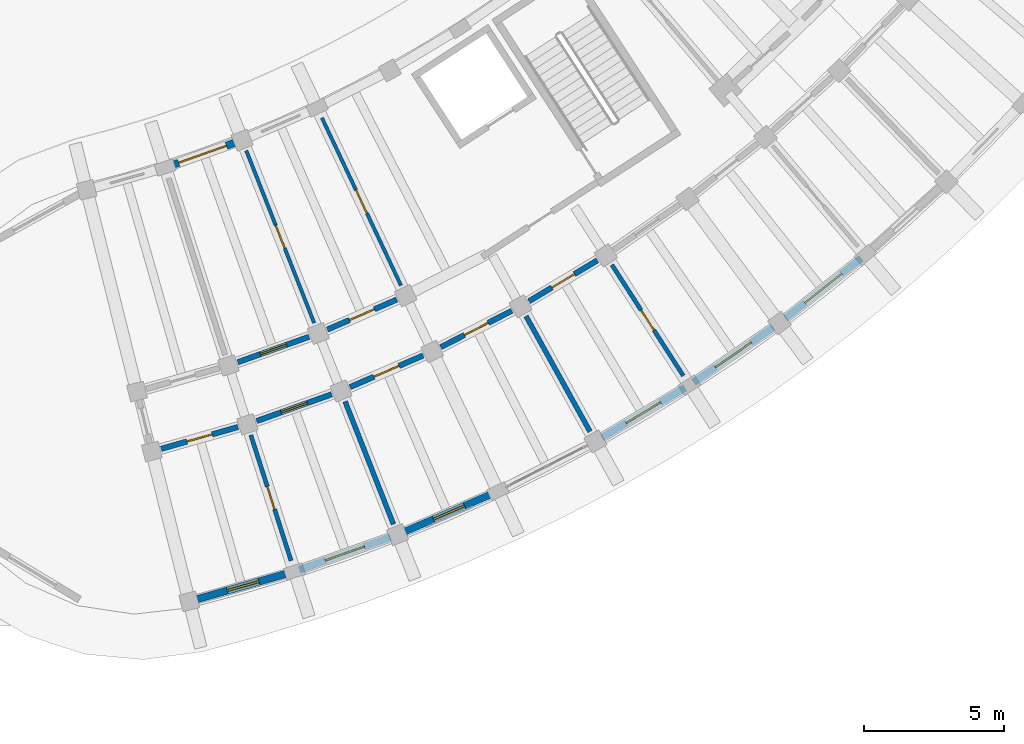
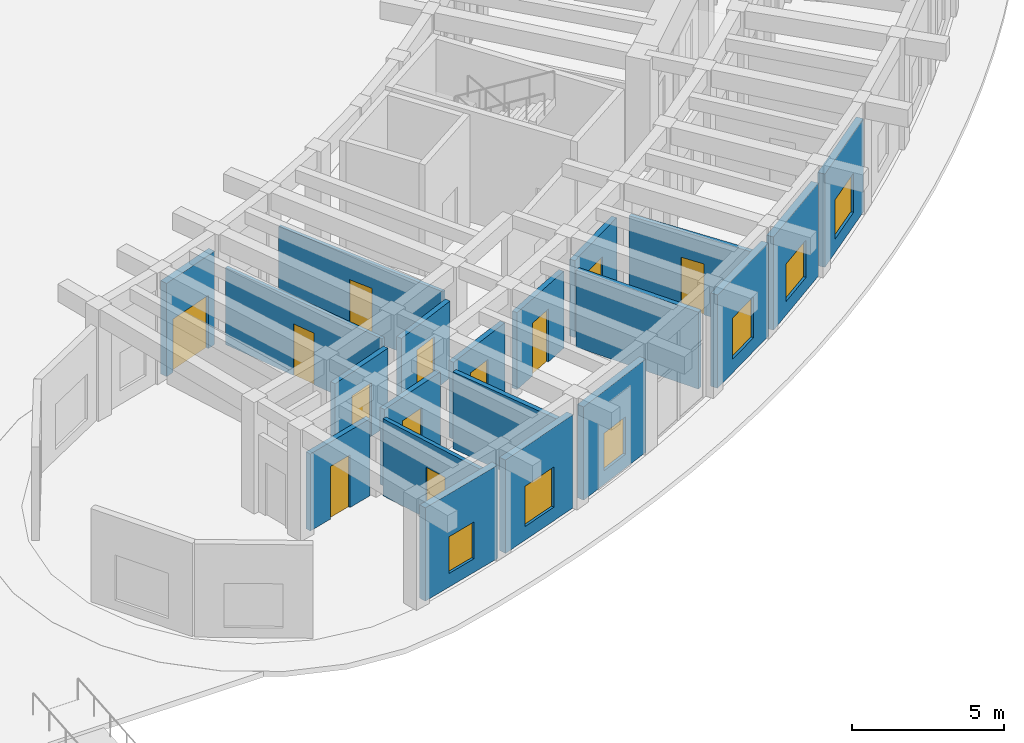
# One storey, part 101 of 132: 20 walls, 12 doors, 6 windows, 18 openings.
"""IFC4 building model written with IfcOpenShell, lengths in metres."""

from ifc_helpers import new_model, si_unit, direction, frame, frame_2d, origin, place, context, subcontext, project, spatial, rectangle, extrude, material, layer, layer_set, type_object, element, fill, save


model = new_model("IFC4")

# Units and contexts
model_context = context("Model", 3, precision=1e-05, world=origin(), true_north=direction((0.0, 1.0)))
body_context = subcontext(model_context, "Body", "Model", "MODEL_VIEW")
ifc_project = project(units=[si_unit("LENGTHUNIT", "METRE"), si_unit("AREAUNIT", "SQUARE_METRE"), si_unit("VOLUMEUNIT", "CUBIC_METRE"), si_unit("PLANEANGLEUNIT", "RADIAN"), si_unit("MASSUNIT", "GRAM", prefix="KILO")], contexts=[model_context])

# Site, building, storey
site_placement = place(None, origin())
site = spatial("IfcSite", under=ifc_project, at=site_placement, CompositionType="ELEMENT")
building_placement = place(site_placement, origin())
building = spatial("IfcBuilding", under=site, at=building_placement, Name="Tanwirah Colonnade Gardens", CompositionType="ELEMENT")
storey_placement = place(building_placement, origin())
storey = spatial("IfcBuildingStorey", under=building, at=storey_placement, Name="L00", CompositionType="ELEMENT", Elevation=0.0)

# Wall, opening, window
ifc_material_1 = material(Name="Limestone architectural precast concrete C40/50", Category="masonry")
ifc_layer_1 = layer(ifc_material_1, 0.260009765625)
ifc_layer_set_1 = layer_set([ifc_layer_1], Name="Limestone architectural precast concrete C40/50")
wall_type_1 = type_object("IfcWallType", Name="EW-PC260", PredefinedType="SOLIDWALL", material=ifc_layer_set_1)
wall_1_placement = place(storey_placement, frame((135.6708984375, 6.794189453125, 0.0), z_axis=(0.0, 0.0, 1.0), x_axis=(0.961876981915, 0.273482488766, 0.0)))
wall_1 = element("IfcWall", 1, at=wall_1_placement, inside=storey, type_object=wall_type_1, Name="Block D L00 OUT Precast Facade Wall 0", PredefinedType="SOLIDWALL", context=body_context, shape_type="SweptSolid", body=[
    extrude(rectangle(XDim=3.43701171875, YDim=0.260009765625, at=frame_2d((1.718505859375, 0.0))), origin(), (0.0, 0.0, 1.0), 3.7548828125),
])
opening_1_placement = place(wall_1_placement, frame((1.12841796875, 0.0, 0.550048828125)))
opening_1 = element("IfcOpeningElement", 2, at=opening_1_placement, cuts=wall_1, Name="Opening WIN-T16", PredefinedType="OPENING", context=body_context, shape_type="SweptSolid", body=[
    extrude(rectangle(XDim=1.179931640625, YDim=1.47998046875, at=frame_2d((0.58984375, 0.739990234375))), frame((0.0, 0.139892578125, 0.0), z_axis=(0.0, -1.0, 0.0), x_axis=(1.0, 0.0, 0.0)), (0.0, 0.0, 1.0), 0.280029296875),
])
ifc_material_2 = material(Name="Thermally broken bronze aluminium and solar low-E double glazing", Category="aluminium")
window_type_1 = type_object("IfcWindowType", Name="WIN-T16", PartitioningType="SINGLE_PANEL", PredefinedType="WINDOW", material=ifc_material_2)
window_1_placement = place(opening_1_placement, origin())
window_1 = element("IfcWindow", 3, at=window_1_placement, inside=storey, type_object=window_type_1, Name="Facade window D-L00-OUT-00", OverallHeight=1.47998046875, OverallWidth=1.179931640625, PartitioningType="SINGLE_PANEL", PredefinedType="WINDOW", context=body_context, shape_type="SweptSolid", body=[
    extrude(rectangle(XDim=1.179931640625, YDim=1.47998046875, at=frame_2d((0.58984375, 0.739990234375))), frame((0.0, 0.030029296875, 0.0), z_axis=(0.0, -1.0, 0.0), x_axis=(1.0, 0.0, 0.0)), (0.0, 0.0, 1.0), 0.06005859375),
])
fill(opening_1, window_1)

wall_2_placement = place(storey_placement, frame((139.328857421875, 7.846923828125, 0.0), z_axis=(0.0, 0.0, 1.0), x_axis=(0.941915354268, 0.335850361612, 0.0)))
wall_2 = element("IfcWall", 4, at=wall_2_placement, inside=storey, type_object=wall_type_1, Name="Block D L00 OUT Precast Facade Wall 1", PredefinedType="SOLIDWALL", context=body_context, shape_type="SweptSolid", body=[
    extrude(rectangle(XDim=3.43701171875, YDim=0.260009765625, at=frame_2d((1.718505859375, 0.0))), origin(), (0.0, 0.0, 1.0), 3.7548828125),
])
opening_2_placement = place(wall_2_placement, frame((0.978515625, 0.0, 0.550048828125)))
opening_2 = element("IfcOpeningElement", 5, at=opening_2_placement, cuts=wall_2, Name="Opening WIN-T19", PredefinedType="OPENING", context=body_context, shape_type="SweptSolid", body=[
    extrude(rectangle(XDim=1.47998046875, YDim=1.6201171875, at=frame_2d((0.739990234375, 0.81005859375))), frame((0.0, 0.139892578125, 0.0), z_axis=(0.0, -1.0, 0.0), x_axis=(1.0, 0.0, 0.0)), (0.0, 0.0, 1.0), 0.280029296875),
])
window_type_2 = type_object("IfcWindowType", Name="WIN-T19", PartitioningType="DOUBLE_PANEL_VERTICAL", PredefinedType="WINDOW", material=ifc_material_2)
window_2_placement = place(opening_2_placement, origin())
window_2 = element("IfcWindow", 6, at=window_2_placement, inside=storey, type_object=window_type_2, Name="Facade window D-L00-OUT-01", OverallHeight=1.6201171875, OverallWidth=1.47998046875, PartitioningType="SINGLE_PANEL", PredefinedType="WINDOW", context=body_context, shape_type="SweptSolid", body=[
    extrude(rectangle(XDim=1.47998046875, YDim=1.6201171875, at=frame_2d((0.739990234375, 0.81005859375))), frame((0.0, 0.030029296875, 0.0), z_axis=(0.0, -1.0, 0.0), x_axis=(1.0, 0.0, 0.0)), (0.0, 0.0, 1.0), 0.06005859375),
])
fill(opening_2, window_2)

# Wall, opening, door
wall_3_placement = place(storey_placement, frame((134.7255859375, 22.22802734375, 0.0), z_axis=(0.0, 0.0, 1.0), x_axis=(0.941897456242, 0.335900553623, 0.0)))
wall_3 = element("IfcWall", 7, at=wall_3_placement, inside=storey, type_object=wall_type_1, Name="Block D L00 IN Precast Facade Wall 1", PredefinedType="SOLIDWALL", context=body_context, shape_type="SweptSolid", body=[
    extrude(rectangle(XDim=2.44873046875, YDim=0.260009765625, at=frame_2d((1.224365234375, 0.0))), origin(), (0.0, 0.0, 1.0), 3.7548828125),
])
opening_3_placement = place(wall_3_placement, frame((0.324462890625, 0.0, 0.0)))
opening_3 = element("IfcOpeningElement", 8, at=opening_3_placement, cuts=wall_3, Name="Opening L00-ED174", PredefinedType="OPENING", context=body_context, shape_type="SweptSolid", body=[
    extrude(rectangle(XDim=1.800048828125, YDim=2.14990234375, at=frame_2d((0.89990234375, 1.074951171875))), frame((0.0, 0.139892578125, 0.0), z_axis=(0.0, -1.0, 0.0), x_axis=(1.0, 0.0, 0.0)), (0.0, 0.0, 1.0), 0.280029296875),
])
ifc_material_3 = material(Name="Powder-coated galvanized steel fire exit door", Category="steel")
door_type_1 = type_object("IfcDoorType", Name="ED-EXIT18", OperationType="DOUBLE_DOOR_SINGLE_SWING", PredefinedType="DOOR", material=ifc_material_3)
door_1_placement = place(opening_3_placement, origin())
door_1 = element("IfcDoor", 9, at=door_1_placement, inside=storey, type_object=door_type_1, Name="Pedestrian final exit door L00-ED174", OperationType="DOUBLE_DOOR_SINGLE_SWING", OverallHeight=2.14990234375, OverallWidth=1.800048828125, PredefinedType="DOOR", context=body_context, shape_type="SweptSolid", body=[
    extrude(rectangle(XDim=1.800048828125, YDim=2.14990234375, at=frame_2d((0.89990234375, 1.074951171875))), frame((0.0, 0.02490234375, 0.0), z_axis=(0.0, -1.0, 0.0), x_axis=(1.0, 0.0, 0.0)), (0.0, 0.0, 1.0), 0.050048828125),
])
fill(opening_3, door_1)

# Wall, opening, window
wall_4_placement = place(storey_placement, frame((143.07763671875, 9.20263671875, 0.0), z_axis=(0.0, 0.0, 1.0), x_axis=(0.917905988043, 0.396797929826, 0.0)))
wall_4 = element("IfcWall", 10, at=wall_4_placement, inside=storey, type_object=wall_type_1, Name="Block D L00 OUT Precast Facade Wall 2", PredefinedType="SOLIDWALL", context=body_context, shape_type="SweptSolid", body=[
    extrude(rectangle(XDim=3.43701171875, YDim=0.260009765625, at=frame_2d((1.718505859375, 0.0))), origin(), (0.0, 0.0, 1.0), 3.7548828125),
])
opening_4_placement = place(wall_4_placement, frame((1.118408203125, 0.0, 0.550048828125)))
opening_4 = element("IfcOpeningElement", 11, at=opening_4_placement, cuts=wall_4, Name="Opening WIN-U02", PredefinedType="OPENING", context=body_context, shape_type="SweptSolid", body=[
    extrude(rectangle(XDim=1.199951171875, YDim=1.510009765625, at=frame_2d((0.60009765625, 0.7548828125))), frame((0.0, 0.139892578125, 0.0), z_axis=(0.0, -1.0, 0.0), x_axis=(1.0, 0.0, 0.0)), (0.0, 0.0, 1.0), 0.280029296875),
])
window_type_3 = type_object("IfcWindowType", Name="WIN-U02", PartitioningType="DOUBLE_PANEL_VERTICAL", PredefinedType="WINDOW", material=ifc_material_2)
window_3_placement = place(opening_4_placement, origin())
window_3 = element("IfcWindow", 12, at=window_3_placement, inside=storey, type_object=window_type_3, Name="Facade window D-L00-OUT-02", OverallHeight=1.510009765625, OverallWidth=1.199951171875, PartitioningType="SINGLE_PANEL", PredefinedType="WINDOW", context=body_context, shape_type="SweptSolid", body=[
    extrude(rectangle(XDim=1.199951171875, YDim=1.510009765625, at=frame_2d((0.60009765625, 0.7548828125))), frame((0.0, 0.030029296875, 0.0), z_axis=(0.0, -1.0, 0.0), x_axis=(1.0, 0.0, 0.0)), (0.0, 0.0, 1.0), 0.06005859375),
])
fill(opening_4, window_3)

wall_5_placement = place(storey_placement, frame((150.1064453125, 12.5576171875, 0.0), z_axis=(0.0, 0.0, 1.0), x_axis=(0.858281691366, 0.51317885602, 0.0)))
wall_5 = element("IfcWall", 13, at=wall_5_placement, inside=storey, type_object=wall_type_1, Name="Block D L00 OUT Precast Facade Wall 4", PredefinedType="SOLIDWALL", context=body_context, shape_type="SweptSolid", body=[
    extrude(rectangle(XDim=3.436767578125, YDim=0.260009765625, at=frame_2d((1.71826171875, 0.0))), origin(), (0.0, 0.0, 1.0), 3.7548828125),
])
opening_5_placement = place(wall_5_placement, frame((0.998291015625, 0.0, 0.550048828125)))
opening_5 = element("IfcOpeningElement", 14, at=opening_5_placement, cuts=wall_5, Name="Opening WIN-U08", PredefinedType="OPENING", context=body_context, shape_type="SweptSolid", body=[
    extrude(rectangle(XDim=1.43994140625, YDim=1.659912109375, at=frame_2d((0.719970703125, 0.830078125))), frame((0.0, 0.139892578125, 0.0), z_axis=(0.0, -1.0, 0.0), x_axis=(1.0, 0.0, 0.0)), (0.0, 0.0, 1.0), 0.280029296875),
])
window_type_4 = type_object("IfcWindowType", Name="WIN-U08", PartitioningType="DOUBLE_PANEL_VERTICAL", PredefinedType="WINDOW", material=ifc_material_2)
window_4_placement = place(opening_5_placement, origin())
window_4 = element("IfcWindow", 15, at=window_4_placement, inside=storey, type_object=window_type_4, Name="Facade window D-L00-OUT-04", OverallHeight=1.659912109375, OverallWidth=1.43994140625, PartitioningType="SINGLE_PANEL", PredefinedType="WINDOW", context=body_context, shape_type="SweptSolid", body=[
    extrude(rectangle(XDim=1.43994140625, YDim=1.659912109375, at=frame_2d((0.719970703125, 0.830078125))), frame((0.0, 0.030029296875, 0.0), z_axis=(0.0, -1.0, 0.0), x_axis=(1.0, 0.0, 0.0)), (0.0, 0.0, 1.0), 0.06005859375),
])
fill(opening_5, window_4)

wall_6_placement = place(storey_placement, frame((153.3671875, 14.521240234375, 0.0), z_axis=(0.0, 0.0, 1.0), x_axis=(0.822879502564, 0.568215913416, 0.0)))
wall_6 = element("IfcWall", 16, at=wall_6_placement, inside=storey, type_object=wall_type_1, Name="Block D L00 OUT Precast Facade Wall 5", PredefinedType="SOLIDWALL", context=body_context, shape_type="SweptSolid", body=[
    extrude(rectangle(XDim=3.436767578125, YDim=0.260009765625, at=frame_2d((1.71826171875, 0.0))), origin(), (0.0, 0.0, 1.0), 3.7548828125),
])
opening_6_placement = place(wall_6_placement, frame((0.9384765625, 0.0, 0.550048828125)))
opening_6 = element("IfcOpeningElement", 17, at=opening_6_placement, cuts=wall_6, Name="Opening WIN-U11", PredefinedType="OPENING", context=body_context, shape_type="SweptSolid", body=[
    extrude(rectangle(XDim=1.56005859375, YDim=1.510009765625, at=frame_2d((0.780029296875, 0.7548828125))), frame((0.0, 0.139892578125, 0.0), z_axis=(0.0, -1.0, 0.0), x_axis=(1.0, 0.0, 0.0)), (0.0, 0.0, 1.0), 0.280029296875),
])
window_type_5 = type_object("IfcWindowType", Name="WIN-U11", PartitioningType="DOUBLE_PANEL_VERTICAL", PredefinedType="WINDOW", material=ifc_material_2)
window_5_placement = place(opening_6_placement, origin())
window_5 = element("IfcWindow", 18, at=window_5_placement, inside=storey, type_object=window_type_5, Name="Facade window D-L00-OUT-05", OverallHeight=1.510009765625, OverallWidth=1.56005859375, PartitioningType="SINGLE_PANEL", PredefinedType="WINDOW", context=body_context, shape_type="SweptSolid", body=[
    extrude(rectangle(XDim=1.56005859375, YDim=1.510009765625, at=frame_2d((0.780029296875, 0.7548828125))), frame((0.0, 0.030029296875, 0.0), z_axis=(0.0, -1.0, 0.0), x_axis=(1.0, 0.0, 0.0)), (0.0, 0.0, 1.0), 0.06005859375),
])
fill(opening_6, window_5)

wall_7_placement = place(storey_placement, frame((156.63720703125, 16.801025390625, 0.0), z_axis=(0.0, 0.0, 1.0), x_axis=(0.783970914649, 0.620797555556, 0.0)))
wall_7 = element("IfcWall", 19, at=wall_7_placement, inside=storey, type_object=wall_type_1, Name="Block D L00 OUT Precast Facade Wall 6", PredefinedType="SOLIDWALL", context=body_context, shape_type="SweptSolid", body=[
    extrude(rectangle(XDim=3.436767578125, YDim=0.260009765625, at=frame_2d((1.71826171875, 0.0))), origin(), (0.0, 0.0, 1.0), 3.7548828125),
])
opening_7_placement = place(wall_7_placement, frame((0.87841796875, 0.0, 0.550048828125)))
opening_7 = element("IfcOpeningElement", 20, at=opening_7_placement, cuts=wall_7, Name="Opening WIN-U14", PredefinedType="OPENING", context=body_context, shape_type="SweptSolid", body=[
    extrude(rectangle(XDim=1.679931640625, YDim=1.5849609375, at=frame_2d((0.83984375, 0.79248046875))), frame((0.0, 0.139892578125, 0.0), z_axis=(0.0, -1.0, 0.0), x_axis=(1.0, 0.0, 0.0)), (0.0, 0.0, 1.0), 0.280029296875),
])
window_type_6 = type_object("IfcWindowType", Name="WIN-U14", PartitioningType="DOUBLE_PANEL_VERTICAL", PredefinedType="WINDOW", material=ifc_material_2)
window_6_placement = place(opening_7_placement, origin())
window_6 = element("IfcWindow", 21, at=window_6_placement, inside=storey, type_object=window_type_6, Name="Facade window D-L00-OUT-06", OverallHeight=1.5849609375, OverallWidth=1.679931640625, PartitioningType="SINGLE_PANEL", PredefinedType="WINDOW", context=body_context, shape_type="SweptSolid", body=[
    extrude(rectangle(XDim=1.679931640625, YDim=1.5849609375, at=frame_2d((0.83984375, 0.79248046875))), frame((0.0, 0.030029296875, 0.0), z_axis=(0.0, -1.0, 0.0), x_axis=(1.0, 0.0, 0.0)), (0.0, 0.0, 1.0), 0.06005859375),
])
fill(opening_7, window_6)

# Wall, opening, door
ifc_material_4 = material(Name="Precast concrete C40/50", Category="concrete")
ifc_layer_2 = layer(ifc_material_4, 0.195068359375)
ifc_layer_set_2 = layer_set([ifc_layer_2], Name="Precast concrete C40/50")
wall_type_2 = type_object("IfcWallType", Name="IW-CORR195", PredefinedType="PARTITIONING", material=ifc_layer_set_2)
wall_8_placement = place(storey_placement, frame((134.41259765625, 12.1513671875, 0.0), z_axis=(0.0, 0.0, 1.0), x_axis=(0.961873892319, 0.273493355085, 0.0)))
wall_8 = element("IfcWall", 22, at=wall_8_placement, inside=storey, type_object=wall_type_2, Name="Block D L00 OUT Corridor Wall 0", PredefinedType="PARTITIONING", context=body_context, shape_type="SweptSolid", body=[
    extrude(rectangle(XDim=2.8369140625, YDim=0.195068359375, at=frame_2d((1.41845703125, 0.0))), origin(), (0.0, 0.0, 1.0), 3.10009765625),
])
opening_8_placement = place(wall_8_placement, frame((0.95361328125, 0.0, 0.0)))
opening_8 = element("IfcOpeningElement", 23, at=opening_8_placement, cuts=wall_8, Name="Opening L00-AD1650", PredefinedType="OPENING", context=body_context, shape_type="SweptSolid", body=[
    extrude(rectangle(XDim=0.929931640625, YDim=2.1201171875, at=frame_2d((0.46484375, 1.06005859375))), frame((0.0, 0.107421875, 0.0), z_axis=(0.0, -1.0, 0.0), x_axis=(1.0, 0.0, 0.0)), (0.0, 0.0, 1.0), 0.215087890625),
])
ifc_material_5 = material(Name="Solid oak fire-resisting apartment entrance door")
door_type_2 = type_object("IfcDoorType", Name="ID-FLT093", OperationType="NOTDEFINED", PredefinedType="DOOR", material=ifc_material_5)
door_2_placement = place(opening_8_placement, origin())
door_2 = element("IfcDoor", 24, at=door_2_placement, inside=storey, type_object=door_type_2, Name="Apartment corridor door L00-AD1650", OperationType="SINGLE_SWING_LEFT", OverallHeight=2.1201171875, OverallWidth=0.929931640625, PredefinedType="DOOR", context=body_context, shape_type="SweptSolid", body=[
    extrude(rectangle(XDim=0.929931640625, YDim=2.1201171875, at=frame_2d((0.46484375, 1.06005859375))), frame((0.0, 0.02490234375, 0.0), z_axis=(0.0, -1.0, 0.0), x_axis=(1.0, 0.0, 0.0)), (0.0, 0.0, 1.0), 0.050048828125),
])
fill(opening_8, door_2)

wall_9_placement = place(storey_placement, frame((137.8076171875, 13.140625, 0.0), z_axis=(0.0, 0.0, 1.0), x_axis=(0.941930628611, 0.335807520589, 0.0)))
wall_9 = element("IfcWall", 25, at=wall_9_placement, inside=storey, type_object=wall_type_2, Name="Block D L00 OUT Corridor Wall 1", PredefinedType="PARTITIONING", context=body_context, shape_type="SweptSolid", body=[
    extrude(rectangle(XDim=2.8369140625, YDim=0.195068359375, at=frame_2d((1.41845703125, 0.0))), origin(), (0.0, 0.0, 1.0), 3.10009765625),
])
opening_9_placement = place(wall_9_placement, frame((0.923583984375, 0.0, 0.0)))
opening_9 = element("IfcOpeningElement", 26, at=opening_9_placement, cuts=wall_9, Name="Opening L00-AD1653", PredefinedType="OPENING", context=body_context, shape_type="SweptSolid", body=[
    extrude(rectangle(XDim=0.989990234375, YDim=2.159912109375, at=frame_2d((0.4951171875, 1.080078125))), frame((0.0, 0.107421875, 0.0), z_axis=(0.0, -1.0, 0.0), x_axis=(1.0, 0.0, 0.0)), (0.0, 0.0, 1.0), 0.215087890625),
])
door_type_3 = type_object("IfcDoorType", Name="ID-FLT099", OperationType="NOTDEFINED", PredefinedType="DOOR", material=ifc_material_5)
door_3_placement = place(opening_9_placement, origin())
door_3 = element("IfcDoor", 27, at=door_3_placement, inside=storey, type_object=door_type_3, Name="Apartment corridor door L00-AD1653", OperationType="SINGLE_SWING_RIGHT", OverallHeight=2.159912109375, OverallWidth=0.989990234375, PredefinedType="DOOR", context=body_context, shape_type="SweptSolid", body=[
    extrude(rectangle(XDim=0.989990234375, YDim=2.159912109375, at=frame_2d((0.4951171875, 1.080078125))), frame((0.0, 0.02490234375, 0.0), z_axis=(0.0, -1.0, 0.0), x_axis=(1.0, 0.0, 0.0)), (0.0, 0.0, 1.0), 0.050048828125),
])
fill(opening_9, door_3)

wall_10_placement = place(storey_placement, frame((137.136962890625, 15.23583984375, 0.0), z_axis=(0.0, 0.0, 1.0), x_axis=(0.941895652647, 0.335905611036, 0.0)))
wall_10 = element("IfcWall", 28, at=wall_10_placement, inside=storey, type_object=wall_type_2, Name="Block D L00 IN Corridor Wall 1", PredefinedType="PARTITIONING", context=body_context, shape_type="SweptSolid", body=[
    extrude(rectangle(XDim=2.69287109375, YDim=0.195068359375, at=frame_2d((1.346435546875, 0.0))), origin(), (0.0, 0.0, 1.0), 3.10009765625),
])
opening_10_placement = place(wall_10_placement, frame((0.8515625, 0.0, 0.0)))
opening_10 = element("IfcOpeningElement", 29, at=opening_10_placement, cuts=wall_10, Name="Opening L00-AD1654", PredefinedType="OPENING", context=body_context, shape_type="SweptSolid", body=[
    extrude(rectangle(XDim=0.989990234375, YDim=2.159912109375, at=frame_2d((0.4951171875, 1.080078125))), frame((0.0, 0.107421875, 0.0), z_axis=(0.0, -1.0, 0.0), x_axis=(1.0, 0.0, 0.0)), (0.0, 0.0, 1.0), 0.215087890625),
])
door_4_placement = place(opening_10_placement, origin())
door_4 = element("IfcDoor", 30, at=door_4_placement, inside=storey, type_object=door_type_3, Name="Apartment corridor door L00-AD1654", OperationType="SINGLE_SWING_LEFT", OverallHeight=2.159912109375, OverallWidth=0.989990234375, PredefinedType="DOOR", context=body_context, shape_type="SweptSolid", body=[
    extrude(rectangle(XDim=0.989990234375, YDim=2.159912109375, at=frame_2d((0.4951171875, 1.080078125))), frame((0.0, 0.02490234375, 0.0), z_axis=(0.0, -1.0, 0.0), x_axis=(1.0, 0.0, 0.0)), (0.0, 0.0, 1.0), 0.050048828125),
])
fill(opening_10, door_4)

wall_11_placement = place(storey_placement, frame((141.130615234375, 14.349853515625, 0.0), z_axis=(0.0, 0.0, 1.0), x_axis=(0.917943439406, 0.396711282991, 0.0)))
wall_11 = element("IfcWall", 31, at=wall_11_placement, inside=storey, type_object=wall_type_2, Name="Block D L00 OUT Corridor Wall 2", PredefinedType="PARTITIONING", context=body_context, shape_type="SweptSolid", body=[
    extrude(rectangle(XDim=2.837158203125, YDim=0.195068359375, at=frame_2d((1.41845703125, 0.0))), origin(), (0.0, 0.0, 1.0), 3.10009765625),
])
opening_11_placement = place(wall_11_placement, frame((0.93359375, 0.0, 0.0)))
opening_11 = element("IfcOpeningElement", 32, at=opening_11_placement, cuts=wall_11, Name="Opening L00-AD1656", PredefinedType="OPENING", context=body_context, shape_type="SweptSolid", body=[
    extrude(rectangle(XDim=0.969970703125, YDim=2.14990234375, at=frame_2d((0.48486328125, 1.074951171875))), frame((0.0, 0.107421875, 0.0), z_axis=(0.0, -1.0, 0.0), x_axis=(1.0, 0.0, 0.0)), (0.0, 0.0, 1.0), 0.215087890625),
])
door_type_4 = type_object("IfcDoorType", Name="ID-FLT097", OperationType="NOTDEFINED", PredefinedType="DOOR", material=ifc_material_5)
door_5_placement = place(opening_11_placement, origin())
door_5 = element("IfcDoor", 33, at=door_5_placement, inside=storey, type_object=door_type_4, Name="Apartment corridor door L00-AD1656", OperationType="SINGLE_SWING_LEFT", OverallHeight=2.14990234375, OverallWidth=0.969970703125, PredefinedType="DOOR", context=body_context, shape_type="SweptSolid", body=[
    extrude(rectangle(XDim=0.969970703125, YDim=2.14990234375, at=frame_2d((0.48486328125, 1.074951171875))), frame((0.0, 0.02490234375, 0.0), z_axis=(0.0, -1.0, 0.0), x_axis=(1.0, 0.0, 0.0)), (0.0, 0.0, 1.0), 0.050048828125),
])
fill(opening_11, door_5)

wall_12_placement = place(storey_placement, frame((140.324462890625, 16.396728515625, 0.0), z_axis=(0.0, 0.0, 1.0), x_axis=(0.91793557165, 0.39672948756, 0.0)))
wall_12 = element("IfcWall", 34, at=wall_12_placement, inside=storey, type_object=wall_type_2, Name="Block D L00 IN Corridor Wall 2", PredefinedType="PARTITIONING", context=body_context, shape_type="SweptSolid", body=[
    extrude(rectangle(XDim=2.69287109375, YDim=0.195068359375, at=frame_2d((1.346435546875, 0.0))), origin(), (0.0, 0.0, 1.0), 3.10009765625),
])
opening_12_placement = place(wall_12_placement, frame((0.861572265625, 0.0, 0.0)))
opening_12 = element("IfcOpeningElement", 35, at=opening_12_placement, cuts=wall_12, Name="Opening L00-AD1657", PredefinedType="OPENING", context=body_context, shape_type="SweptSolid", body=[
    extrude(rectangle(XDim=0.969970703125, YDim=2.14990234375, at=frame_2d((0.48486328125, 1.074951171875))), frame((0.0, 0.107421875, 0.0), z_axis=(0.0, -1.0, 0.0), x_axis=(1.0, 0.0, 0.0)), (0.0, 0.0, 1.0), 0.215087890625),
])
door_6_placement = place(opening_12_placement, origin())
door_6 = element("IfcDoor", 36, at=door_6_placement, inside=storey, type_object=door_type_4, Name="Apartment corridor door L00-AD1657", OperationType="SINGLE_SWING_RIGHT", OverallHeight=2.14990234375, OverallWidth=0.969970703125, PredefinedType="DOOR", context=body_context, shape_type="SweptSolid", body=[
    extrude(rectangle(XDim=0.969970703125, YDim=2.14990234375, at=frame_2d((0.48486328125, 1.074951171875))), frame((0.0, 0.02490234375, 0.0), z_axis=(0.0, -1.0, 0.0), x_axis=(1.0, 0.0, 0.0)), (0.0, 0.0, 1.0), 0.050048828125),
])
fill(opening_12, door_6)

wall_13_placement = place(storey_placement, frame((144.367431640625, 15.773681640625, 0.0), z_axis=(0.0, 0.0, 1.0), x_axis=(0.890030590607, 0.45590080915, 0.0)))
wall_13 = element("IfcWall", 37, at=wall_13_placement, inside=storey, type_object=wall_type_2, Name="Block D L00 OUT Corridor Wall 3", PredefinedType="PARTITIONING", context=body_context, shape_type="SweptSolid", body=[
    extrude(rectangle(XDim=2.837158203125, YDim=0.195068359375, at=frame_2d((1.41845703125, 0.0))), origin(), (0.0, 0.0, 1.0), 3.10009765625),
])
opening_13_placement = place(wall_13_placement, frame((0.943603515625, 0.0, 0.0)))
opening_13 = element("IfcOpeningElement", 38, at=opening_13_placement, cuts=wall_13, Name="Opening L00-AD1659", PredefinedType="OPENING", context=body_context, shape_type="SweptSolid", body=[
    extrude(rectangle(XDim=0.949951171875, YDim=2.1298828125, at=frame_2d((0.47509765625, 1.06494140625))), frame((0.0, 0.107421875, 0.0), z_axis=(0.0, -1.0, 0.0), x_axis=(1.0, 0.0, 0.0)), (0.0, 0.0, 1.0), 0.215087890625),
])
door_type_5 = type_object("IfcDoorType", Name="ID-FLT095", OperationType="NOTDEFINED", PredefinedType="DOOR", material=ifc_material_5)
door_7_placement = place(opening_13_placement, origin())
door_7 = element("IfcDoor", 39, at=door_7_placement, inside=storey, type_object=door_type_5, Name="Apartment corridor door L00-AD1659", OperationType="SINGLE_SWING_RIGHT", OverallHeight=2.1298828125, OverallWidth=0.949951171875, PredefinedType="DOOR", context=body_context, shape_type="SweptSolid", body=[
    extrude(rectangle(XDim=0.949951171875, YDim=2.1298828125, at=frame_2d((0.47509765625, 1.06494140625))), frame((0.0, 0.02490234375, 0.0), z_axis=(0.0, -1.0, 0.0), x_axis=(1.0, 0.0, 0.0)), (0.0, 0.0, 1.0), 0.050048828125),
])
fill(opening_13, door_7)

wall_14_placement = place(storey_placement, frame((147.50439453125, 17.406494140625, 0.0), z_axis=(0.0, 0.0, 1.0), x_axis=(0.858281647443, 0.51317892948, 0.0)))
wall_14 = element("IfcWall", 40, at=wall_14_placement, inside=storey, type_object=wall_type_2, Name="Block D L00 OUT Corridor Wall 4", PredefinedType="PARTITIONING", context=body_context, shape_type="SweptSolid", body=[
    extrude(rectangle(XDim=2.8369140625, YDim=0.195068359375, at=frame_2d((1.41845703125, 0.0))), origin(), (0.0, 0.0, 1.0), 3.10009765625),
])
opening_14_placement = place(wall_14_placement, frame((0.95361328125, 0.0, 0.0)))
opening_14 = element("IfcOpeningElement", 41, at=opening_14_placement, cuts=wall_14, Name="Opening L00-AD1660", PredefinedType="OPENING", context=body_context, shape_type="SweptSolid", body=[
    extrude(rectangle(XDim=0.929931640625, YDim=2.1201171875, at=frame_2d((0.46484375, 1.06005859375))), frame((0.0, 0.107421875, 0.0), z_axis=(0.0, -1.0, 0.0), x_axis=(1.0, 0.0, 0.0)), (0.0, 0.0, 1.0), 0.215087890625),
])
door_8_placement = place(opening_14_placement, origin())
door_8 = element("IfcDoor", 42, at=door_8_placement, inside=storey, type_object=door_type_2, Name="Apartment corridor door L00-AD1660", OperationType="SINGLE_SWING_LEFT", OverallHeight=2.1201171875, OverallWidth=0.929931640625, PredefinedType="DOOR", context=body_context, shape_type="SweptSolid", body=[
    extrude(rectangle(XDim=0.929931640625, YDim=2.1201171875, at=frame_2d((0.46484375, 1.06005859375))), frame((0.0, 0.02490234375, 0.0), z_axis=(0.0, -1.0, 0.0), x_axis=(1.0, 0.0, 0.0)), (0.0, 0.0, 1.0), 0.050048828125),
])
fill(opening_14, door_8)

# Walls
ifc_layer_3 = layer(ifc_material_4, 0.175048828125)
ifc_layer_set_3 = layer_set([ifc_layer_3], Name="Precast concrete C40/50")
wall_type_3 = type_object("IfcWallType", Name="IW-DEM175", PredefinedType="PARTITIONING", material=ifc_layer_set_3)
for number, where, z_axis, x_axis, name in (
    (43, (140.9560546875, 13.8388671875, 0.0), (0.0, 0.0, 1.0), (0.366468650514, -0.930430399434, 0.0), "Block D L00 Radial Partition 1"),
    (44, (147.39794921875, 16.876953125, 0.0), (0.0, 0.0, 1.0), (0.484813534336, -0.874617537513, 0.0), "Block D L00 Radial Partition 3"),
):
    element("IfcWall", number, at=place(storey_placement, frame(where, z_axis=z_axis, x_axis=x_axis)), inside=storey, type_object=wall_type_3, Name=name, PredefinedType="PARTITIONING", context=body_context, shape_type="SweptSolid", body=[
        extrude(rectangle(XDim=4.699951171875, YDim=0.175048828125, at=frame_2d((2.35009765625, 0.0))), origin(), (0.0, 0.0, 1.0), 3.10009765625),
    ])

# Wall, opening, door
ifc_material_6 = material(Name="Moisture-resistant gypsum stud partition")
ifc_layer_4 = layer(ifc_material_6, 0.125)
ifc_layer_set_4 = layer_set([ifc_layer_4], Name="Moisture-resistant gypsum stud partition")
wall_type_4 = type_object("IfcWallType", Name="IW-INT125", PredefinedType="PARTITIONING", material=ifc_layer_set_4)
wall_15_placement = place(storey_placement, frame((137.4375, 22.770751953125, 0.0), z_axis=(0.0, 0.0, 1.0), x_axis=(0.366512873936, -0.930412979939, 0.0)))
wall_15 = element("IfcWall", 45, at=wall_15_placement, inside=storey, type_object=wall_type_4, Name="Block D L00 Inner Radial Partition 1", PredefinedType="PARTITIONING", context=body_context, shape_type="SweptSolid", body=[
    extrude(rectangle(XDim=6.599853515625, YDim=0.125, at=frame_2d((3.2998046875, 0.0))), origin(), (0.0, 0.0, 1.0), 3.10009765625),
])
opening_15_placement = place(wall_15_placement, frame((2.864990234375, 0.0, 0.0)))
opening_15 = element("IfcOpeningElement", 46, at=opening_15_placement, cuts=wall_15, Name="Opening L00-RD1655", PredefinedType="OPENING", context=body_context, shape_type="SweptSolid", body=[
    extrude(rectangle(XDim=0.8701171875, YDim=2.080078125, at=frame_2d((0.43505859375, 1.0400390625))), frame((0.0, 0.072509765625, 0.0), z_axis=(0.0, -1.0, 0.0), x_axis=(1.0, 0.0, 0.0)), (0.0, 0.0, 1.0), 0.14501953125),
])
ifc_material_7 = material(Name="Painted hardwood study door", Category="wood")
door_type_6 = type_object("IfcDoorType", Name="ID-RM087", OperationType="NOTDEFINED", PredefinedType="DOOR", material=ifc_material_7)
door_9_placement = place(opening_15_placement, origin())
door_9 = element("IfcDoor", 47, at=door_9_placement, inside=storey, type_object=door_type_6, Name="Internal apartment door L00-RD1655", OperationType="SINGLE_SWING_LEFT", OverallHeight=2.080078125, OverallWidth=0.8701171875, PredefinedType="DOOR", context=body_context, shape_type="SweptSolid", body=[
    extrude(rectangle(XDim=0.8701171875, YDim=2.080078125, at=frame_2d((0.43505859375, 1.0400390625))), frame((0.0, 0.02490234375, 0.0), z_axis=(0.0, -1.0, 0.0), x_axis=(1.0, 0.0, 0.0)), (0.0, 0.0, 1.0), 0.050048828125),
])
fill(opening_15, door_9)

wall_16_placement = place(storey_placement, frame((140.131591796875, 23.935302734375, 0.0), z_axis=(0.0, 0.0, 1.0), x_axis=(0.426573573579, -0.904452865728, 0.0)))
wall_16 = element("IfcWall", 48, at=wall_16_placement, inside=storey, type_object=wall_type_4, Name="Block D L00 Inner Radial Partition 2", PredefinedType="PARTITIONING", context=body_context, shape_type="SweptSolid", body=[
    extrude(rectangle(XDim=6.60009765625, YDim=0.125, at=frame_2d((3.300048828125, 0.0))), origin(), (0.0, 0.0, 1.0), 3.10009765625),
])
opening_16_placement = place(wall_16_placement, frame((2.844970703125, 0.0, 0.0)))
opening_16 = element("IfcOpeningElement", 49, at=opening_16_placement, cuts=wall_16, Name="Opening L00-RD1658", PredefinedType="OPENING", context=body_context, shape_type="SweptSolid", body=[
    extrude(rectangle(XDim=0.909912109375, YDim=2.10009765625, at=frame_2d((0.455078125, 1.050048828125))), frame((0.0, 0.072509765625, 0.0), z_axis=(0.0, -1.0, 0.0), x_axis=(1.0, 0.0, 0.0)), (0.0, 0.0, 1.0), 0.14501953125),
])
ifc_material_8 = material(Name="Painted hardwood internal room door", Category="wood")
door_type_7 = type_object("IfcDoorType", Name="ID-RM091", OperationType="NOTDEFINED", PredefinedType="DOOR", material=ifc_material_8)
door_10_placement = place(opening_16_placement, origin())
door_10 = element("IfcDoor", 50, at=door_10_placement, inside=storey, type_object=door_type_7, Name="Internal apartment door L00-RD1658", OperationType="SINGLE_SWING_RIGHT", OverallHeight=2.10009765625, OverallWidth=0.909912109375, PredefinedType="DOOR", context=body_context, shape_type="SweptSolid", body=[
    extrude(rectangle(XDim=0.909912109375, YDim=2.10009765625, at=frame_2d((0.455078125, 1.050048828125))), frame((0.0, 0.02490234375, 0.0), z_axis=(0.0, -1.0, 0.0), x_axis=(1.0, 0.0, 0.0)), (0.0, 0.0, 1.0), 0.050048828125),
])
fill(opening_16, door_10)

ifc_material_9 = material(Name="Water-resistant acoustic plumbing partition")
ifc_layer_5 = layer(ifc_material_9, 0.14990234375)
ifc_layer_set_5 = layer_set([ifc_layer_5], Name="Water-resistant acoustic plumbing partition")
wall_type_5 = type_object("IfcWallType", Name="IW-WET150", PredefinedType="PLUMBINGWALL", material=ifc_layer_set_5)
wall_17_placement = place(storey_placement, frame((137.599853515625, 12.64208984375, 0.0), z_axis=(0.0, 0.0, 1.0), x_axis=(0.304860540454, -0.952397002764, 0.0)))
wall_17 = element("IfcWall", 51, at=wall_17_placement, inside=storey, type_object=wall_type_5, Name="Block D L00 Radial Partition 0", PredefinedType="PLUMBINGWALL", context=body_context, shape_type="SweptSolid", body=[
    extrude(rectangle(XDim=4.699951171875, YDim=0.14990234375, at=frame_2d((2.35009765625, 0.0))), origin(), (0.0, 0.0, 1.0), 3.10009765625),
])
opening_17_placement = place(wall_17_placement, frame((1.925048828125, 0.0, 0.0)))
opening_17 = element("IfcOpeningElement", 52, at=opening_17_placement, cuts=wall_17, Name="Opening L00-RD1652", PredefinedType="OPENING", context=body_context, shape_type="SweptSolid", body=[
    extrude(rectangle(XDim=0.85009765625, YDim=2.050048828125, at=frame_2d((0.425048828125, 1.02490234375))), frame((0.0, 0.0849609375, 0.0), z_axis=(0.0, -1.0, 0.0), x_axis=(1.0, 0.0, 0.0)), (0.0, 0.0, 1.0), 0.169921875),
])
ifc_material_10 = material(Name="Moisture-resistant en-suite door")
door_type_8 = type_object("IfcDoorType", Name="ID-WET085", OperationType="NOTDEFINED", PredefinedType="DOOR", material=ifc_material_10)
door_11_placement = place(opening_17_placement, origin())
door_11 = element("IfcDoor", 53, at=door_11_placement, inside=storey, type_object=door_type_8, Name="Internal apartment door L00-RD1652", OperationType="SINGLE_SWING_LEFT", OverallHeight=2.050048828125, OverallWidth=0.85009765625, PredefinedType="DOOR", context=body_context, shape_type="SweptSolid", body=[
    extrude(rectangle(XDim=0.85009765625, YDim=2.050048828125, at=frame_2d((0.425048828125, 1.02490234375))), frame((0.0, 0.02490234375, 0.0), z_axis=(0.0, -1.0, 0.0), x_axis=(1.0, 0.0, 0.0)), (0.0, 0.0, 1.0), 0.050048828125),
])
fill(opening_17, door_11)

wall_18_placement = place(storey_placement, frame((150.4560546875, 18.705322265625, 0.0), z_axis=(0.0, 0.0, 1.0), x_axis=(0.540959731567, -0.84104849374, 0.0)))
wall_18 = element("IfcWall", 54, at=wall_18_placement, inside=storey, type_object=wall_type_5, Name="Block D L00 Radial Partition 4", PredefinedType="PLUMBINGWALL", context=body_context, shape_type="SweptSolid", body=[
    extrude(rectangle(XDim=4.699951171875, YDim=0.14990234375, at=frame_2d((2.35009765625, 0.0))), origin(), (0.0, 0.0, 1.0), 3.10009765625),
])
opening_18_placement = place(wall_18_placement, frame((1.925048828125, 0.0, 0.0)))
opening_18 = element("IfcOpeningElement", 55, at=opening_18_placement, cuts=wall_18, Name="Opening L00-RD1661", PredefinedType="OPENING", context=body_context, shape_type="SweptSolid", body=[
    extrude(rectangle(XDim=0.85009765625, YDim=2.050048828125, at=frame_2d((0.425048828125, 1.02490234375))), frame((0.0, 0.0849609375, 0.0), z_axis=(0.0, -1.0, 0.0), x_axis=(1.0, 0.0, 0.0)), (0.0, 0.0, 1.0), 0.169921875),
])
door_12_placement = place(opening_18_placement, origin())
door_12 = element("IfcDoor", 56, at=door_12_placement, inside=storey, type_object=door_type_8, Name="Internal apartment door L00-RD1661", OperationType="SINGLE_SWING_LEFT", OverallHeight=2.050048828125, OverallWidth=0.85009765625, PredefinedType="DOOR", context=body_context, shape_type="SweptSolid", body=[
    extrude(rectangle(XDim=0.85009765625, YDim=2.050048828125, at=frame_2d((0.425048828125, 1.02490234375))), frame((0.0, 0.02490234375, 0.0), z_axis=(0.0, -1.0, 0.0), x_axis=(1.0, 0.0, 0.0)), (0.0, 0.0, 1.0), 0.050048828125),
])
fill(opening_18, door_12)

save(model, "model.ifc")
